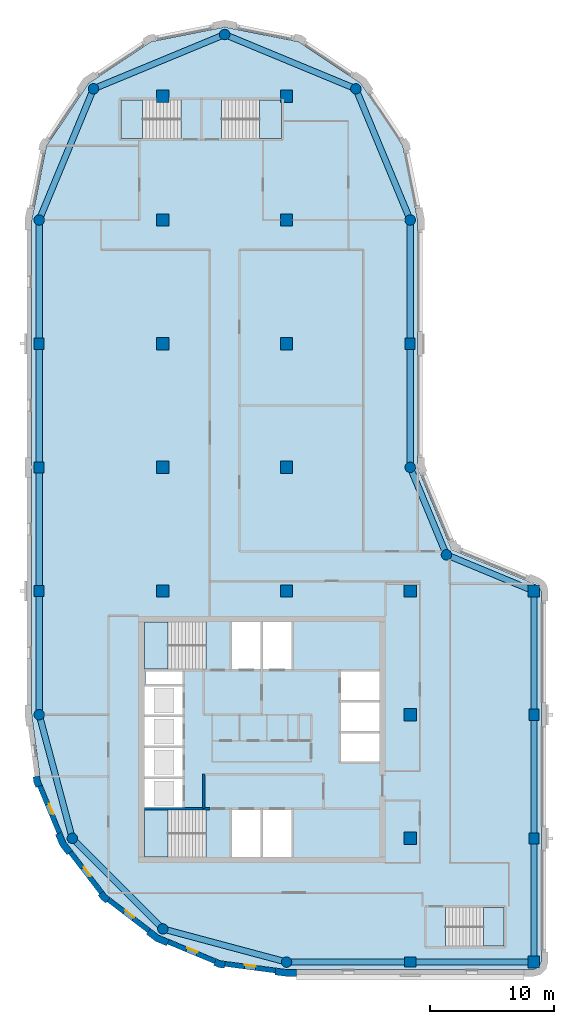
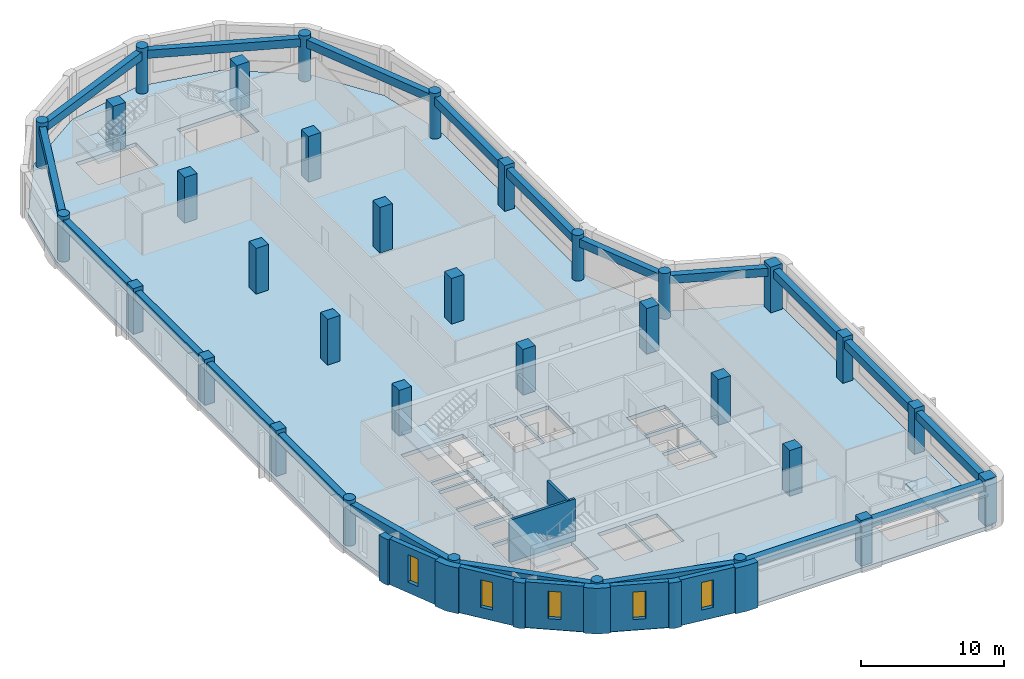
# One storey, part 1 of 8: 33 columns, 20 beams, 13 walls, 6 slabs, 5 windows, 5 openings, 5 elements without a shape of their own.
"""IFC4 building model written with IfcOpenShell, lengths in metres."""

import ifcopenshell
import ifcopenshell.guid

model = None  # the IFC model being written
_history = None  # IfcOwnerHistory: only IFC2X3 demands one
_inside = {}  # id of a spatial element -> (the spatial element, [elements in it])
_under = {}  # id of a project, library or spatial element -> (it, [spatial elements below it])
_declared = {}  # id of a project -> (the project, [libraries it declares])
_typed = {}  # id of a type object -> (the type object, [elements of that type])
_made_of = {}  # id of a material, layer set ... -> (it, [elements and type objects made of it])


def new_model(schema):
    """Start an empty IFC model of exactly this schema.

    Asked for "IFC4X3", IfcOpenShell would pick the latest addendum, in which some entities
    have other attributes; the version numbers below select the first issue.
    IFC2X3 requires an IfcOwnerHistory on every rooted entity: one is made here for all.
    """
    global model, _history
    if schema == "IFC4X3":
        model = ifcopenshell.file(schema_version=(4, 3, 0, 0))
    else:
        model = ifcopenshell.file(schema=schema)
    _inside.clear()
    _under.clear()
    _declared.clear()
    _typed.clear()
    _made_of.clear()
    _history = None
    if model.schema == "IFC2X3":
        org = make("IfcOrganization", Name="unknown")
        user = make(
            "IfcPersonAndOrganization",
            ThePerson=make("IfcPerson", FamilyName="unknown"),
            TheOrganization=org,
        )
        app = make(
            "IfcApplication",
            ApplicationDeveloper=org,
            Version="unknown",
            ApplicationFullName="unknown",
            ApplicationIdentifier="unknown",
        )
        _history = make(
            "IfcOwnerHistory",
            OwningUser=user,
            OwningApplication=app,
            ChangeAction="ADDED",
            CreationDate=0,
        )
    return model


def make(cls, **values):
    """One entity of the class cls with the attributes given. An attribute that is None is left unset."""
    return model.create_entity(
        cls, **{name: value for name, value in values.items() if value is not None}
    )


def rooted(cls, **values):
    """An entity with a GlobalId (a new one), such as an element, a storey or a relation."""
    return make(cls, GlobalId=ifcopenshell.guid.new(), OwnerHistory=_history, **values)


def si_unit(unit_type, name, prefix=None):
    """IfcSIUnit, for example si_unit("LENGTHUNIT", "METRE", prefix="MILLI")."""
    return make("IfcSIUnit", UnitType=unit_type, Prefix=prefix, Name=name)


def assignment(units):
    """IfcUnitAssignment: the units of a project."""
    return None if units is None else make("IfcUnitAssignment", Units=units)


def point(xyz):
    """IfcCartesianPoint."""
    return None if xyz is None else make("IfcCartesianPoint", Coordinates=xyz)


def direction(xyz):
    """IfcDirection."""
    return None if xyz is None else make("IfcDirection", DirectionRatios=xyz)


def frame(location, z_axis=None, x_axis=None):
    """IfcAxis2Placement3D, a coordinate frame: its origin and axes. An axis left out is left unset."""
    return make(
        "IfcAxis2Placement3D",
        Location=point(location),
        Axis=direction(z_axis),
        RefDirection=direction(x_axis),
    )


def frame_2d(location, x_axis=None):
    """IfcAxis2Placement2D, a coordinate frame in the plane: its origin and x axis."""
    return make(
        "IfcAxis2Placement2D", Location=point(location), RefDirection=direction(x_axis)
    )


def origin():
    """The frame at (0, 0, 0) with its axes left unset."""
    return frame((0.0, 0.0, 0.0))


def origin_2d():
    """The frame at (0, 0) in the plane with its x axis left unset."""
    return frame_2d((0.0, 0.0))


def place(relative_to, where):
    """IfcLocalPlacement: puts the frame where relative to a parent placement (None: the world)."""
    return make(
        "IfcLocalPlacement", PlacementRelTo=relative_to, RelativePlacement=where
    )


def context(
    kind, dimensions, precision=None, world=None, true_north=None, identifier=None
):
    """IfcGeometricRepresentationContext, for example the 3D "Model" context."""
    return make(
        "IfcGeometricRepresentationContext",
        ContextIdentifier=identifier,
        ContextType=kind,
        CoordinateSpaceDimension=dimensions,
        Precision=precision,
        WorldCoordinateSystem=world,
        TrueNorth=true_north,
    )


def subcontext(parent, identifier, kind, view, scale=None):
    """IfcGeometricRepresentationSubContext, for example "Body" below "Model"."""
    return make(
        "IfcGeometricRepresentationSubContext",
        ContextIdentifier=identifier,
        ContextType=kind,
        ParentContext=parent,
        TargetScale=scale,
        TargetView=view,
    )


def project(units=None, contexts=None):
    """IfcProject with its units and contexts."""
    return rooted(
        "IfcProject",
        Name="project",
        RepresentationContexts=contexts,
        UnitsInContext=assignment(units),
    )


def spatial(cls, under=None, at=None, **own):
    """A site, building, storey or space (cls), placed at a placement, below another one or the project."""
    s = rooted(cls, ObjectPlacement=at, **own)
    if under is not None:
        _under.setdefault(under.id(), (under, []))[1].append(s)
    return s


def polyline(points):
    """IfcPolyline through the points."""
    return make("IfcPolyline", Points=[point(p) for p in points])


def profile(cls, at=None, kind="AREA", **sizes):
    """A parametric profile (cls). Its sizes go by their IFC names, for example OverallWidth=200.0."""
    return make(cls, ProfileType=kind, Position=at, **sizes)


def rectangle(**sizes):
    """IfcRectangleProfileDef."""
    return profile("IfcRectangleProfileDef", **sizes)


def circle(**sizes):
    """IfcCircleProfileDef."""
    return profile("IfcCircleProfileDef", **sizes)


def outline(outer, holes=None, kind="AREA"):
    """IfcArbitraryClosedProfileDef: a profile drawn as a closed curve; with holes, ...WithVoids."""
    if holes is None:
        return make("IfcArbitraryClosedProfileDef", ProfileType=kind, OuterCurve=outer)
    return make(
        "IfcArbitraryProfileDefWithVoids",
        ProfileType=kind,
        OuterCurve=outer,
        InnerCurves=holes,
    )


def extrude(swept, where, along, depth):
    """IfcExtrudedAreaSolid: the profile swept, set in the frame where, extruded along a direction by depth."""
    return make(
        "IfcExtrudedAreaSolid",
        SweptArea=swept,
        Position=where,
        ExtrudedDirection=direction(along),
        Depth=depth,
    )


def shape(context_of_items, identifier, shape_type, items):
    """IfcShapeRepresentation: the items that make up one representation, for example the "Body"."""
    return make(
        "IfcShapeRepresentation",
        ContextOfItems=context_of_items,
        RepresentationIdentifier=identifier,
        RepresentationType=shape_type,
        Items=items,
    )


def material(Name=None, Category=None):
    """IfcMaterial."""
    return make("IfcMaterial", Name=Name, Category=Category)


def layer(
    of_material, thickness, ventilated=None, Name=None, Category=None, Priority=None
):
    """IfcMaterialLayer: one layer of a wall or slab, of a material (None: an air gap)."""
    return make(
        "IfcMaterialLayer",
        Material=of_material,
        LayerThickness=thickness,
        IsVentilated=ventilated,
        Name=Name,
        Category=Category,
        Priority=Priority,
    )


def layer_set(layers, Name=None):
    """IfcMaterialLayerSet."""
    return make("IfcMaterialLayerSet", MaterialLayers=layers, LayerSetName=Name)


def material_profile(
    of_material, cross_section, Name=None, Category=None, Priority=None
):
    """IfcMaterialProfile: a cross section and its material."""
    return make(
        "IfcMaterialProfile",
        Name=Name,
        Material=of_material,
        Profile=cross_section,
        Priority=Priority,
        Category=Category,
    )


def profile_set(profiles, Name=None, composite=None):
    """IfcMaterialProfileSet."""
    return make(
        "IfcMaterialProfileSet",
        Name=Name,
        MaterialProfiles=profiles,
        CompositeProfile=composite,
    )


def made_of(thing, what):
    """Note that an element or type object is made of a material, layer set ...; save() writes the relation."""
    if what is not None:
        _made_of.setdefault(what.id(), (what, []))[1].append(thing)
    return thing


def type_object(cls, material=None, **own):
    """A type object (cls), such as IfcWallType, which elements share."""
    return made_of(rooted(cls, **own), material)


def element(
    cls,
    number,
    at=None,
    inside=None,
    cuts=None,
    type_object=None,
    material=None,
    context=None,
    identifier="Body",
    shape_type=None,
    held_by="IfcProductDefinitionShape",
    body=None,
    shapes=None,
    **own,
):
    """One element of the class cls, such as IfcWall. Its Tag is "e" and its number.

    at: its placement. inside: the storey or other place that contains it. cuts: it is an
    opening in that element (IfcRelVoidsElement). A single representation is given by context,
    identifier, shape_type and body (its items); several are given by shapes. held_by: the class
    of the entity that holds the representations. save() writes the other relations.
    """
    e = rooted(cls, Tag="e%d" % number, ObjectPlacement=at, **own)
    if body is not None:
        shapes = [shape(context, identifier, shape_type, body)]
    if shapes is not None:
        e.Representation = make(held_by, Representations=shapes)
    if inside is not None:
        _inside.setdefault(inside.id(), (inside, []))[1].append(e)
    if cuts is not None:
        rooted(
            "IfcRelVoidsElement", RelatingBuildingElement=cuts, RelatedOpeningElement=e
        )
    if type_object is not None:
        _typed.setdefault(type_object.id(), (type_object, []))[1].append(e)
    return made_of(e, material)


def fill(opening, filler):
    """IfcRelFillsElement: the door or window that sits in an opening."""
    return rooted(
        "IfcRelFillsElement",
        RelatingOpeningElement=opening,
        RelatedBuildingElement=filler,
    )


def aggregate(whole, parts):
    """IfcRelAggregates: a whole, such as a stair, and the parts it consists of."""
    return rooted("IfcRelAggregates", RelatingObject=whole, RelatedObjects=parts)


def save(model, path):
    """Write the relations noted so far, then the file.

    IfcRelAggregates (storeys below a building ...), IfcRelContainedInSpatialStructure (elements
    in a storey), IfcRelDefinesByType, IfcRelAssociatesMaterial and IfcRelDeclares: one each for
    every whole, place, type object, material and project.
    """
    for whole, parts in _under.values():
        aggregate(whole, parts)
    for where, things in _inside.values():
        rooted(
            "IfcRelContainedInSpatialStructure",
            RelatedElements=things,
            RelatingStructure=where,
        )
    for kind, things in _typed.values():
        rooted("IfcRelDefinesByType", RelatedObjects=things, RelatingType=kind)
    for what, things in _made_of.values():
        rooted("IfcRelAssociatesMaterial", RelatedObjects=things, RelatingMaterial=what)
    for by, libraries in _declared.values():
        rooted("IfcRelDeclares", RelatingContext=by, RelatedDefinitions=libraries)
    model.write(path)


model = new_model("IFC4")

# Units and contexts
model_context = context("Model", 3, precision=1e-05, world=origin(), true_north=direction((0.0, 1.0)))
body_context = subcontext(model_context, "Body", "Model", "MODEL_VIEW")
ifc_project = project(units=[si_unit("LENGTHUNIT", "METRE"), si_unit("AREAUNIT", "SQUARE_METRE"), si_unit("VOLUMEUNIT", "CUBIC_METRE"), si_unit("PLANEANGLEUNIT", "RADIAN"), si_unit("MASSUNIT", "GRAM", prefix="KILO")], contexts=[model_context])

# Site, building, storey
site_placement = place(None, origin())
site = spatial("IfcSite", under=ifc_project, at=site_placement, CompositionType="ELEMENT")
building_placement = place(site_placement, origin())
building = spatial("IfcBuilding", under=site, at=building_placement, Name="Qaws Garden Tower", CompositionType="ELEMENT")
storey_placement = place(building_placement, frame((0.0, 0.0, 345.0)))
storey = spatial("IfcBuildingStorey", under=building, at=storey_placement, Name="L84", CompositionType="ELEMENT", Elevation=345.0)

# Columns
ifc_material_1 = material(Name="Concrete C60", Category="concrete")
ifc_material_profile_1 = material_profile(ifc_material_1, rectangle(XDim=1.0, YDim=1.0, at=origin_2d()), Name="RC 1000x1000")
ifc_profile_set_1 = profile_set([ifc_material_profile_1], Name="Concrete C60")
column_type_1 = type_object("IfcColumnType", Name="Column RC 1000x1000 C60", PredefinedType="COLUMN", material=ifc_profile_set_1)
for number, where, z_axis, x_axis, name in (
    (1, (10.0, 30.0, 0.0), (0.0, 0.0, 1.0), (1.0, 0.0, 0.0), "Column L84-021"),
    (2, (10.0, 40.0, 0.0), (0.0, 0.0, 1.0), (1.0, 0.0, 0.0), "Column L84-022"),
    (3, (10.0, 50.0, 0.0), (0.0, 0.0, 1.0), (1.0, 0.0, 0.0), "Column L84-023"),
    (4, (10.0, 60.0, 0.0), (0.0, 0.0, 1.0), (1.0, 0.0, 0.0), "Column L84-024"),
    (5, (10.0, 70.0, 0.0), (0.0, 0.0, 1.0), (1.0, 0.0, 0.0), "Column L84-025"),
    (6, (20.0, 30.0, 0.0), (0.0, 0.0, 1.0), (1.0, 0.0, 0.0), "Column L84-026"),
    (7, (20.0, 40.0, 0.0), (0.0, 0.0, 1.0), (1.0, 0.0, 0.0), "Column L84-027"),
    (8, (20.0, 50.0, 0.0), (0.0, 0.0, 1.0), (1.0, 0.0, 0.0), "Column L84-028"),
    (9, (20.0, 60.0, 0.0), (0.0, 0.0, 1.0), (1.0, 0.0, 0.0), "Column L84-029"),
    (10, (20.0, 70.0, 0.0), (0.0, 0.0, 1.0), (1.0, 0.0, 0.0), "Column L84-030"),
    (11, (30.0, 10.0, 0.0), (0.0, 0.0, 1.0), (1.0, 0.0, 0.0), "Column L84-031"),
    (12, (30.0, 20.0, 0.0), (0.0, 0.0, 1.0), (1.0, 0.0, 0.0), "Column L84-032"),
    (13, (30.0, 30.0, 0.0), (0.0, 0.0, 1.0), (1.0, 0.0, 0.0), "Column L84-033"),
):
    element("IfcColumn", number, at=place(storey_placement, frame(where, z_axis=z_axis, x_axis=x_axis)), inside=storey, type_object=column_type_1, Name=name, PredefinedType="COLUMN", context=body_context, shape_type="SweptSolid", body=[
        extrude(rectangle(XDim=1.0, YDim=1.0, at=origin_2d()), origin(), (0.0, 0.0, 1.0), 3.89990234375),
    ])
ifc_material_2 = material(Name="Concrete C60", Category="concrete")
ifc_material_profile_2 = material_profile(ifc_material_2, rectangle(XDim=0.89990234375, YDim=0.800048828125, at=origin_2d()), Name="RC 900x800")
ifc_profile_set_2 = profile_set([ifc_material_profile_2], Name="Concrete C60")
column_type_2 = type_object("IfcColumnType", Name="Column RC 900x800 C60", PredefinedType="COLUMN", material=ifc_profile_set_2)
for number, where, z_axis, x_axis, name in (
    (14, (30.0, 0.0, 0.0), (0.0, 0.0, 1.0), (1.0, 0.0, 0.0), "Column L84-002"),
    (15, (40.0, 10.0, 0.0), (0.0, 0.0, 1.0), (0.0, 1.0, 0.0), "Column L84-004"),
    (16, (40.0, 20.0, 0.0), (0.0, 0.0, 1.0), (0.0, 1.0, 0.0), "Column L84-005"),
    (17, (30.0, 50.0, 0.0), (0.0, 0.0, 1.0), (0.0, 1.0, 0.0), "Column L84-009"),
    (18, (0.0, 50.0, 0.0), (0.0, 0.0, 1.0), (0.0, 1.0, 0.0), "Column L84-015"),
    (19, (0.0, 40.0, 0.0), (0.0, 0.0, 1.0), (0.0, 1.0, 0.0), "Column L84-016"),
    (20, (0.0, 30.0, 0.0), (0.0, 0.0, 1.0), (0.0, 1.0, 0.0), "Column L84-017"),
):
    element("IfcColumn", number, at=place(storey_placement, frame(where, z_axis=z_axis, x_axis=x_axis)), inside=storey, type_object=column_type_2, Name=name, PredefinedType="COLUMN", context=body_context, shape_type="SweptSolid", body=[
        extrude(rectangle(XDim=0.89990234375, YDim=0.800048828125, at=origin_2d()), origin(), (0.0, 0.0, 1.0), 3.89990234375),
    ])
ifc_material_3 = material(Name="Concrete C60", Category="concrete")
ifc_material_profile_3 = material_profile(ifc_material_3, rectangle(XDim=0.949951171875, YDim=0.949951171875, at=origin_2d()), Name="RC 950x950")
ifc_profile_set_3 = profile_set([ifc_material_profile_3], Name="Concrete C60")
column_type_3 = type_object("IfcColumnType", Name="Column RC 950x950 C60", PredefinedType="COLUMN", material=ifc_profile_set_3)
for number, where, z_axis, x_axis, name in (
    (21, (40.0, 0.0, 0.0), (0.0, 0.0, 1.0), (1.0, 0.0, 0.0), "Column L84-003"),
    (22, (40.0, 30.0, 0.0), (0.0, 0.0, 1.0), (1.0, 0.0, 0.0), "Column L84-006"),
):
    element("IfcColumn", number, at=place(storey_placement, frame(where, z_axis=z_axis, x_axis=x_axis)), inside=storey, type_object=column_type_3, Name=name, PredefinedType="COLUMN", context=body_context, shape_type="SweptSolid", body=[
        extrude(rectangle(XDim=0.949951171875, YDim=0.949951171875, at=origin_2d()), origin(), (0.0, 0.0, 1.0), 3.89990234375),
    ])
ifc_material_4 = material(Name="Concrete C60", Category="concrete")
ifc_material_profile_4 = material_profile(ifc_material_4, circle(Radius=0.425048828125, at=origin_2d()), Name="RC D850")
ifc_profile_set_4 = profile_set([ifc_material_profile_4], Name="Concrete C60")
column_type_4 = type_object("IfcColumnType", Name="Column RC D850 C60", PredefinedType="COLUMN", material=ifc_profile_set_4)
for number, where, z_axis, x_axis, name in (
    (23, (20.0, 0.0, 0.0), (0.0, 0.0, 1.0), (1.0, 0.0, 0.0), "Column L84-001"),
    (24, (32.928955078125, 32.928955078125, 0.0), (0.0, 0.0, 1.0), (1.0, 0.0, 0.0), "Column L84-007"),
    (25, (30.0, 40.0, 0.0), (0.0, 0.0, 1.0), (1.0, 0.0, 0.0), "Column L84-008"),
    (26, (30.0, 60.0, 0.0), (0.0, 0.0, 1.0), (1.0, 0.0, 0.0), "Column L84-010"),
    (27, (25.606689453125, 70.606689453125, 0.0), (0.0, 0.0, 1.0), (1.0, 0.0, 0.0), "Column L84-011"),
    (28, (15.0, 75.0, 0.0), (0.0, 0.0, 1.0), (1.0, 0.0, 0.0), "Column L84-012"),
    (29, (4.393310546875, 70.606689453125, 0.0), (0.0, 0.0, 1.0), (1.0, 0.0, 0.0), "Column L84-013"),
    (30, (0.0, 60.0, 0.0), (0.0, 0.0, 1.0), (1.0, 0.0, 0.0), "Column L84-014"),
    (31, (0.0, 20.0, 0.0), (0.0, 0.0, 1.0), (1.0, 0.0, 0.0), "Column L84-018"),
    (32, (2.679443359375, 10.0, 0.0), (0.0, 0.0, 1.0), (1.0, 0.0, 0.0), "Column L84-019"),
    (33, (10.0, 2.679443359375, 0.0), (0.0, 0.0, 1.0), (1.0, 0.0, 0.0), "Column L84-020"),
):
    element("IfcColumn", number, at=place(storey_placement, frame(where, z_axis=z_axis, x_axis=x_axis)), inside=storey, type_object=column_type_4, Name=name, PredefinedType="COLUMN", context=body_context, shape_type="SweptSolid", body=[
        extrude(circle(Radius=0.425048828125, at=origin_2d()), origin(), (0.0, 0.0, 1.0), 3.89990234375),
    ])

# Beams
ifc_material_5 = material(Name="Concrete C45", Category="concrete")
ifc_material_profile_5 = material_profile(ifc_material_5, rectangle(XDim=0.5, YDim=0.699951171875, at=origin_2d()), Name="RC 500x700")
ifc_profile_set_5 = profile_set([ifc_material_profile_5], Name="Concrete C45")
beam_type = type_object("IfcBeamType", Name="Spandrel beam RC 500x700 C45", PredefinedType="SPANDREL", material=ifc_profile_set_5)
for number, where, z_axis, x_axis, name in (
    (34, (20.0, 0.0, 3.22998046875), (1.0, 0.0, 0.0), (0.0, 1.0, 0.0), "Spandrel beam L84-001"),
    (35, (30.0, 0.0, 3.22998046875), (1.0, 0.0, 0.0), (0.0, 1.0, 0.0), "Spandrel beam L84-002"),
    (36, (40.0, 0.0, 3.22998046875), (0.0, 1.0, 0.0), (-1.0, 0.0, 0.0), "Spandrel beam L84-003"),
    (37, (40.0, 10.0, 3.22998046875), (0.0, 1.0, 0.0), (-1.0, 0.0, 0.0), "Spandrel beam L84-004"),
    (38, (40.0, 20.0, 3.22998046875), (0.0, 1.0, 0.0), (-1.0, 0.0, 0.0), "Spandrel beam L84-005"),
):
    element("IfcBeam", number, at=place(storey_placement, frame(where, z_axis=z_axis, x_axis=x_axis)), inside=storey, type_object=beam_type, Name=name, PredefinedType="SPANDREL", context=body_context, shape_type="SweptSolid", body=[
        extrude(rectangle(XDim=0.5, YDim=0.699951171875, at=origin_2d()), origin(), (0.0, 0.0, 1.0), 10.0),
    ])
for number, where, z_axis, x_axis, name in (
    (39, (40.0, 30.0, 3.22998046875), (-0.923878037141, 0.382687042488, 0.0), (-0.382687042488, -0.923878037141, 0.0), "Spandrel beam L84-006"),
    (40, (32.928955078125, 32.928955078125, 3.22998046875), (-0.382687042488, 0.923878037141, 0.0), (-0.923878037141, -0.382687042488, 0.0), "Spandrel beam L84-007"),
):
    element("IfcBeam", number, at=place(storey_placement, frame(where, z_axis=z_axis, x_axis=x_axis)), inside=storey, type_object=beam_type, Name=name, PredefinedType="SPANDREL", context=body_context, shape_type="SweptSolid", body=[
        extrude(rectangle(XDim=0.5, YDim=0.699951171875, at=origin_2d()), origin(), (0.0, 0.0, 1.0), 7.653564453125),
    ])
for number, where, z_axis, x_axis, name in (
    (41, (30.0, 40.0, 3.22998046875), (0.0, 1.0, 0.0), (-1.0, 0.0, 0.0), "Spandrel beam L84-008"),
    (42, (30.0, 50.0, 3.22998046875), (0.0, 1.0, 0.0), (-1.0, 0.0, 0.0), "Spandrel beam L84-009"),
):
    element("IfcBeam", number, at=place(storey_placement, frame(where, z_axis=z_axis, x_axis=x_axis)), inside=storey, type_object=beam_type, Name=name, PredefinedType="SPANDREL", context=body_context, shape_type="SweptSolid", body=[
        extrude(rectangle(XDim=0.5, YDim=0.699951171875, at=origin_2d()), origin(), (0.0, 0.0, 1.0), 10.0),
    ])
for number, where, z_axis, x_axis, name in (
    (43, (30.0, 60.0, 3.22998046875), (-0.382674207535, 0.923883353507, 0.0), (-0.923883353507, -0.382674207535, 0.0), "Spandrel beam L84-010"),
    (44, (25.606689453125, 70.606689453125, 3.22998046875), (-0.923883353507, 0.382674207535, 0.0), (-0.382674207535, -0.923883353507, 0.0), "Spandrel beam L84-011"),
    (45, (15.0, 75.0, 3.22998046875), (-0.923883353507, -0.382674207535, 0.0), (0.382674207535, -0.923883353507, 0.0), "Spandrel beam L84-012"),
    (46, (4.393310546875, 70.606689453125, 3.22998046875), (-0.382674207535, -0.923883353507, 0.0), (0.923883353507, -0.382674207535, 0.0), "Spandrel beam L84-013"),
):
    element("IfcBeam", number, at=place(storey_placement, frame(where, z_axis=z_axis, x_axis=x_axis)), inside=storey, type_object=beam_type, Name=name, PredefinedType="SPANDREL", context=body_context, shape_type="SweptSolid", body=[
        extrude(rectangle(XDim=0.5, YDim=0.699951171875, at=origin_2d()), origin(), (0.0, 0.0, 1.0), 11.48046875),
    ])
for number, where, z_axis, x_axis, name in (
    (47, (0.0, 60.0, 3.22998046875), (0.0, -1.0, 0.0), (1.0, 0.0, 0.0), "Spandrel beam L84-014"),
    (48, (0.0, 50.0, 3.22998046875), (0.0, -1.0, 0.0), (1.0, 0.0, 0.0), "Spandrel beam L84-015"),
    (49, (0.0, 40.0, 3.22998046875), (0.0, -1.0, 0.0), (1.0, 0.0, 0.0), "Spandrel beam L84-016"),
    (50, (0.0, 30.0, 3.22998046875), (0.0, -1.0, 0.0), (1.0, 0.0, 0.0), "Spandrel beam L84-017"),
):
    element("IfcBeam", number, at=place(storey_placement, frame(where, z_axis=z_axis, x_axis=x_axis)), inside=storey, type_object=beam_type, Name=name, PredefinedType="SPANDREL", context=body_context, shape_type="SweptSolid", body=[
        extrude(rectangle(XDim=0.5, YDim=0.699951171875, at=origin_2d()), origin(), (0.0, 0.0, 1.0), 10.0),
    ])
for number, where, z_axis, x_axis, name in (
    (51, (0.0, 20.0, 3.22998046875), (0.25881466832, -0.965926999034, 0.0), (0.965926999034, 0.25881466832, 0.0), "Spandrel beam L84-018"),
    (52, (2.679443359375, 10.0, 3.22998046875), (0.707106781187, -0.707106781187, 0.0), (0.707106781187, 0.707106781187, 0.0), "Spandrel beam L84-019"),
    (53, (10.0, 2.679443359375, 3.22998046875), (0.965926999034, -0.25881466832, 0.0), (0.25881466832, 0.965926999034, 0.0), "Spandrel beam L84-020"),
):
    element("IfcBeam", number, at=place(storey_placement, frame(where, z_axis=z_axis, x_axis=x_axis)), inside=storey, type_object=beam_type, Name=name, PredefinedType="SPANDREL", context=body_context, shape_type="SweptSolid", body=[
        extrude(rectangle(XDim=0.5, YDim=0.699951171875, at=origin_2d()), origin(), (0.0, 0.0, 1.0), 10.352783203125),
    ])

# Slab
ifc_material_6 = material(Name="Concrete C40", Category="concrete")
ifc_layer_1 = layer(ifc_material_6, 0.320068359375)
ifc_layer_set_1 = layer_set([ifc_layer_1], Name="Concrete C40")
slab_type_1 = type_object("IfcSlabType", Name="Floor slab 320 C40", PredefinedType="FLOOR", material=ifc_layer_set_1)
slab_1_placement = place(storey_placement, frame((0.0, 0.0, -0.320068359375)))
element("IfcSlab", 54, at=slab_1_placement, inside=storey, type_object=slab_type_1, Name="Floor slab L84", PredefinedType="FLOOR", context=body_context, shape_type="SweptSolid", body=[
    extrude(outline(polyline([(0.101806640625, 14.668212890625), (-0.60009765625, 20.0), (-0.60009765625, 30.60009765625), (-0.60009765625, 60.0), (-0.60009765625, 60.0), (0.58740234375, 65.969970703125), (3.968994140625, 71.031005859375), (9.030029296875, 74.41259765625), (15.0, 75.60009765625), (20.969970703125, 74.41259765625), (26.031005859375, 71.031005859375), (29.41259765625, 65.969970703125), (30.60009765625, 60.0), (30.60009765625, 40.0), (33.353271484375, 33.353271484375), (40.0, 30.60009765625), (40.42431640625, 30.42431640625), (40.60009765625, 30.0), (40.60009765625, 0.0), (40.42431640625, -0.42431640625), (40.0, -0.60009765625), (30.60009765625, -0.60009765625), (20.0, -0.60009765625), (14.668212890625, 0.101806640625), (9.699951171875, 2.159912109375), (5.43359375, 5.43359375), (2.159912109375, 9.699951171875), (0.101806640625, 14.668212890625)]), holes=[polyline([(13.49951171875, 12.300048828125), (8.5, 12.300048828125), (8.5, 8.5), (13.49951171875, 8.5), (13.49951171875, 12.300048828125)]), polyline([(17.89990234375, 12.300048828125), (15.60009765625, 12.300048828125), (15.60009765625, 8.5), (17.89990234375, 8.5), (17.89990234375, 12.300048828125)]), polyline([(11.60009765625, 14.800048828125), (8.5, 14.800048828125), (8.5, 12.5), (11.60009765625, 12.5), (11.60009765625, 14.800048828125)]), polyline([(11.60009765625, 17.300048828125), (8.5, 17.300048828125), (8.5, 15.0), (11.60009765625, 15.0), (11.60009765625, 17.300048828125)]), polyline([(11.60009765625, 19.800048828125), (8.5, 19.800048828125), (8.5, 17.5), (11.60009765625, 17.5), (11.60009765625, 19.800048828125)]), polyline([(11.60009765625, 22.300048828125), (8.5, 22.300048828125), (8.5, 20.0), (11.60009765625, 20.0), (11.60009765625, 22.300048828125)]), polyline([(11.60009765625, 23.5), (8.60009765625, 23.5), (8.60009765625, 22.5), (11.60009765625, 22.5), (11.60009765625, 23.5)]), polyline([(13.49951171875, 27.5), (8.5, 27.5), (8.5, 23.699951171875), (13.49951171875, 23.699951171875), (13.49951171875, 27.5)]), polyline([(11.449462890625, 69.699951171875), (6.60009765625, 69.699951171875), (6.60009765625, 66.60009765625), (11.449462890625, 66.60009765625), (11.449462890625, 69.699951171875)]), polyline([(37.60009765625, 4.39990234375), (32.8505859375, 4.39990234375), (32.8505859375, 1.300048828125), (37.60009765625, 1.300048828125), (37.60009765625, 4.39990234375)]), polyline([(20.39990234375, 12.300048828125), (18.10009765625, 12.300048828125), (18.10009765625, 8.5), (20.39990234375, 8.5), (20.39990234375, 12.300048828125)]), polyline([(27.5, 18.5), (24.39990234375, 18.5), (24.39990234375, 16.199951171875), (27.5, 16.199951171875), (27.5, 18.5)]), polyline([(27.5, 21.0), (24.39990234375, 21.0), (24.39990234375, 18.699951171875), (27.5, 18.699951171875), (27.5, 21.0)]), polyline([(27.5, 23.5), (24.39990234375, 23.5), (24.39990234375, 21.199951171875), (27.5, 21.199951171875), (27.5, 23.5)]), polyline([(17.89990234375, 27.5), (15.60009765625, 27.5), (15.60009765625, 23.699951171875), (17.89990234375, 23.699951171875), (17.89990234375, 27.5)]), polyline([(20.39990234375, 23.699951171875), (20.39990234375, 27.5), (18.10009765625, 27.5), (18.10009765625, 23.699951171875), (20.39990234375, 23.699951171875)]), polyline([(19.60009765625, 66.60009765625), (19.60009765625, 69.699951171875), (14.75048828125, 69.699951171875), (14.75048828125, 66.60009765625), (19.60009765625, 66.60009765625)])]), origin(), (0.0, 0.0, 1.0), 0.320068359375),
])

# Stair, slab
ifc_material_7 = material(Name="Concrete C40", Category="concrete")
stair_type_1 = type_object("IfcStairType", Name="Exit stair 1500", PredefinedType="HALF_TURN_STAIR", material=ifc_material_7)
placement_1 = place(storey_placement, origin())
stair_1 = element("IfcStair", 55, at=placement_1, inside=storey, type_object=stair_type_1, Name="Stair 1", PredefinedType="HALF_TURN_STAIR")
ifc_material_8 = material(Name="Concrete C40", Category="concrete")
ifc_layer_2 = layer(ifc_material_8, 0.199951171875)
ifc_layer_set_2 = layer_set([ifc_layer_2], Name="Concrete C40")
slab_type_2 = type_object("IfcSlabType", Name="Stair landing 200", PredefinedType="LANDING", material=ifc_layer_set_2)
placement_2 = place(storey_placement, frame((0.0, 0.0, 1.75)))
slab_2 = element("IfcSlab", 56, at=placement_2, type_object=slab_type_2, Name="ST1 landing 1", PredefinedType="LANDING", context=body_context, shape_type="SweptSolid", body=[
    extrude(outline(polyline([(8.5, 8.5), (10.419921875, 8.5), (10.419921875, 12.300048828125), (8.5, 12.300048828125), (8.5, 8.5)])), origin(), (0.0, 0.0, 1.0), 0.199951171875),
])
aggregate(stair_1, [slab_2])

stair_2 = element("IfcStair", 57, at=placement_1, inside=storey, type_object=stair_type_1, Name="Stair 4", PredefinedType="HALF_TURN_STAIR")
slab_3 = element("IfcSlab", 58, at=placement_2, type_object=slab_type_2, Name="ST4 landing 1", PredefinedType="LANDING", context=body_context, shape_type="SweptSolid", body=[
    extrude(outline(polyline([(8.5, 23.699951171875), (10.419921875, 23.699951171875), (10.419921875, 27.5), (8.5, 27.5), (8.5, 23.699951171875)])), origin(), (0.0, 0.0, 1.0), 0.199951171875),
])
aggregate(stair_2, [slab_3])

ifc_material_9 = material(Name="Concrete C40", Category="concrete")
stair_type_2 = type_object("IfcStairType", Name="Exit stair 1350", PredefinedType="HALF_TURN_STAIR", material=ifc_material_9)
stair_3 = element("IfcStair", 59, at=placement_1, inside=storey, type_object=stair_type_2, Name="Stair 5", PredefinedType="HALF_TURN_STAIR")
slab_4 = element("IfcSlab", 60, at=placement_2, type_object=slab_type_2, Name="ST5 landing 1", PredefinedType="LANDING", context=body_context, shape_type="SweptSolid", body=[
    extrude(outline(polyline([(35.929931640625, 1.300048828125), (37.60009765625, 1.300048828125), (37.60009765625, 4.39990234375), (35.929931640625, 4.39990234375), (35.929931640625, 1.300048828125)])), origin(), (0.0, 0.0, 1.0), 0.199951171875),
])
aggregate(stair_3, [slab_4])

stair_4 = element("IfcStair", 61, at=placement_1, inside=storey, type_object=stair_type_2, Name="Stair 6", PredefinedType="HALF_TURN_STAIR")
slab_5 = element("IfcSlab", 62, at=placement_2, type_object=slab_type_2, Name="ST6 landing 1", PredefinedType="LANDING", context=body_context, shape_type="SweptSolid", body=[
    extrude(outline(polyline([(6.60009765625, 66.60009765625), (8.3701171875, 66.60009765625), (8.3701171875, 69.699951171875), (6.60009765625, 69.699951171875), (6.60009765625, 66.60009765625)])), origin(), (0.0, 0.0, 1.0), 0.199951171875),
])
aggregate(stair_4, [slab_5])

stair_5 = element("IfcStair", 63, at=placement_1, inside=storey, type_object=stair_type_2, Name="Stair 7", PredefinedType="HALF_TURN_STAIR")
slab_6 = element("IfcSlab", 64, at=placement_2, type_object=slab_type_2, Name="ST7 landing 1", PredefinedType="LANDING", context=body_context, shape_type="SweptSolid", body=[
    extrude(outline(polyline([(17.830078125, 66.60009765625), (19.60009765625, 66.60009765625), (19.60009765625, 69.699951171875), (17.830078125, 69.699951171875), (17.830078125, 66.60009765625)])), origin(), (0.0, 0.0, 1.0), 0.199951171875),
])
aggregate(stair_5, [slab_6])

# Wall, opening, window
ifc_material_10 = material(Name="Clay facing brick masonry", Category="masonry")
ifc_layer_3 = layer(ifc_material_10, 0.39990234375)
ifc_layer_set_3 = layer_set([ifc_layer_3], Name="Clay facing brick masonry")
wall_type_1 = type_object("IfcWallType", Name="Brick infill wall 400", PredefinedType="SOLIDWALL", material=ifc_layer_set_3)
wall_1_placement = place(storey_placement, frame((0.05712890625, 14.240234375, 0.0), z_axis=(0.0, 0.0, 1.0), x_axis=(0.382721546029, -0.923863744394, 0.0)))
wall_1 = element("IfcWall", 65, at=wall_1_placement, inside=storey, type_object=wall_type_1, Name="E-L84-infill-22", PredefinedType="SOLIDWALL", context=body_context, shape_type="SweptSolid", body=[
    extrude(rectangle(XDim=4.120849609375, YDim=0.39990234375, at=frame_2d((2.060546875, 0.0))), origin(), (0.0, 0.0, 1.0), 3.89990234375),
])
opening_1_placement = place(wall_1_placement, frame((1.610595703125, 0.0, 0.89990234375)))
opening_1 = element("IfcOpeningElement", 66, at=opening_1_placement, cuts=wall_1, Name="Opening W09", PredefinedType="OPENING", context=body_context, shape_type="SweptSolid", body=[
    extrude(rectangle(XDim=0.89990234375, YDim=2.35009765625, at=frame_2d((0.449951171875, 1.175048828125))), frame((0.0, 0.2099609375, 0.0), z_axis=(0.0, -1.0, 0.0), x_axis=(1.0, 0.0, 0.0)), (0.0, 0.0, 1.0), 0.419921875),
])
ifc_material_11 = material(Name="Aluminium framed window, clear glazing", Category="aluminium")
window_type = type_object("IfcWindowType", Name="Slit window 900 x 2350", PartitioningType="SINGLE_PANEL", PredefinedType="WINDOW", material=ifc_material_11)
window_1_placement = place(opening_1_placement, origin())
window_1 = element("IfcWindow", 67, at=window_1_placement, inside=storey, type_object=window_type, Name="E-L84-window-22-0", OverallHeight=2.35009765625, OverallWidth=0.89990234375, PartitioningType="SINGLE_PANEL", PredefinedType="WINDOW", context=body_context, shape_type="SweptSolid", body=[
    extrude(rectangle(XDim=0.89990234375, YDim=2.35009765625, at=frame_2d((0.449951171875, 1.175048828125))), frame((0.0, 0.159912109375, 0.0), z_axis=(0.0, -1.0, 0.0), x_axis=(1.0, 0.0, 0.0)), (0.0, 0.0, 1.0), 0.06005859375),
])
fill(opening_1, window_1)

wall_2_placement = place(storey_placement, frame((2.53173828125, 8.87841796875, 0.0), z_axis=(0.0, 0.0, 1.0), x_axis=(0.608759824817, -0.793354571229, 0.0)))
wall_2 = element("IfcWall", 68, at=wall_2_placement, inside=storey, type_object=wall_type_1, Name="E-L84-infill-23", PredefinedType="SOLIDWALL", context=body_context, shape_type="SweptSolid", body=[
    extrude(rectangle(XDim=4.12109375, YDim=0.39990234375, at=frame_2d((2.060546875, 0.0))), origin(), (0.0, 0.0, 1.0), 3.89990234375),
])
opening_2_placement = place(wall_2_placement, frame((1.610595703125, 0.0, 0.89990234375)))
opening_2 = element("IfcOpeningElement", 69, at=opening_2_placement, cuts=wall_2, Name="Opening W09", PredefinedType="OPENING", context=body_context, shape_type="SweptSolid", body=[
    extrude(rectangle(XDim=0.89990234375, YDim=2.35009765625, at=frame_2d((0.449951171875, 1.175048828125))), frame((0.0, 0.2099609375, 0.0), z_axis=(0.0, -1.0, 0.0), x_axis=(1.0, 0.0, 0.0)), (0.0, 0.0, 1.0), 0.419921875),
])
window_2_placement = place(opening_2_placement, origin())
window_2 = element("IfcWindow", 70, at=window_2_placement, inside=storey, type_object=window_type, Name="E-L84-window-23-0", OverallHeight=2.35009765625, OverallWidth=0.89990234375, PartitioningType="SINGLE_PANEL", PredefinedType="WINDOW", context=body_context, shape_type="SweptSolid", body=[
    extrude(rectangle(XDim=0.89990234375, YDim=2.35009765625, at=frame_2d((0.449951171875, 1.175048828125))), frame((0.0, 0.159912109375, 0.0), z_axis=(0.0, -1.0, 0.0), x_axis=(1.0, 0.0, 0.0)), (0.0, 0.0, 1.0), 0.06005859375),
])
fill(opening_2, window_2)

wall_3_placement = place(storey_placement, frame((5.60888671875, 5.04052734375, 0.0), z_axis=(0.0, 0.0, 1.0), x_axis=(0.793354571229, -0.608759824817, 0.0)))
wall_3 = element("IfcWall", 71, at=wall_3_placement, inside=storey, type_object=wall_type_1, Name="E-L84-infill-24", PredefinedType="SOLIDWALL", context=body_context, shape_type="SweptSolid", body=[
    extrude(rectangle(XDim=4.12109375, YDim=0.39990234375, at=frame_2d((2.060546875, 0.0))), origin(), (0.0, 0.0, 1.0), 3.89990234375),
])
opening_3_placement = place(wall_3_placement, frame((1.610595703125, 0.0, 0.89990234375)))
opening_3 = element("IfcOpeningElement", 72, at=opening_3_placement, cuts=wall_3, Name="Opening W09", PredefinedType="OPENING", context=body_context, shape_type="SweptSolid", body=[
    extrude(rectangle(XDim=0.89990234375, YDim=2.35009765625, at=frame_2d((0.449951171875, 1.175048828125))), frame((0.0, 0.2099609375, 0.0), z_axis=(0.0, -1.0, 0.0), x_axis=(1.0, 0.0, 0.0)), (0.0, 0.0, 1.0), 0.419921875),
])
window_3_placement = place(opening_3_placement, origin())
window_3 = element("IfcWindow", 73, at=window_3_placement, inside=storey, type_object=window_type, Name="E-L84-window-24-0", OverallHeight=2.35009765625, OverallWidth=0.89990234375, PartitioningType="SINGLE_PANEL", PredefinedType="WINDOW", context=body_context, shape_type="SweptSolid", body=[
    extrude(rectangle(XDim=0.89990234375, YDim=2.35009765625, at=frame_2d((0.449951171875, 1.175048828125))), frame((0.0, 0.159912109375, 0.0), z_axis=(0.0, -1.0, 0.0), x_axis=(1.0, 0.0, 0.0)), (0.0, 0.0, 1.0), 0.06005859375),
])
fill(opening_3, window_3)

wall_4_placement = place(storey_placement, frame((10.43310546875, 1.63427734375, 0.0), z_axis=(0.0, 0.0, 1.0), x_axis=(0.923863744394, -0.382721546029, 0.0)))
wall_4 = element("IfcWall", 74, at=wall_4_placement, inside=storey, type_object=wall_type_1, Name="E-L84-infill-25", PredefinedType="SOLIDWALL", context=body_context, shape_type="SweptSolid", body=[
    extrude(rectangle(XDim=4.120849609375, YDim=0.39990234375, at=frame_2d((2.060546875, 0.0))), origin(), (0.0, 0.0, 1.0), 3.89990234375),
])
opening_4_placement = place(wall_4_placement, frame((1.610595703125, 0.0, 0.89990234375)))
opening_4 = element("IfcOpeningElement", 75, at=opening_4_placement, cuts=wall_4, Name="Opening W09", PredefinedType="OPENING", context=body_context, shape_type="SweptSolid", body=[
    extrude(rectangle(XDim=0.89990234375, YDim=2.35009765625, at=frame_2d((0.449951171875, 1.175048828125))), frame((0.0, 0.2099609375, 0.0), z_axis=(0.0, -1.0, 0.0), x_axis=(1.0, 0.0, 0.0)), (0.0, 0.0, 1.0), 0.419921875),
])
window_4_placement = place(opening_4_placement, origin())
window_4 = element("IfcWindow", 76, at=window_4_placement, inside=storey, type_object=window_type, Name="E-L84-window-25-0", OverallHeight=2.35009765625, OverallWidth=0.89990234375, PartitioningType="SINGLE_PANEL", PredefinedType="WINDOW", context=body_context, shape_type="SweptSolid", body=[
    extrude(rectangle(XDim=0.89990234375, YDim=2.35009765625, at=frame_2d((0.449951171875, 1.175048828125))), frame((0.0, 0.159912109375, 0.0), z_axis=(0.0, -1.0, 0.0), x_axis=(1.0, 0.0, 0.0)), (0.0, 0.0, 1.0), 0.06005859375),
])
fill(opening_4, window_4)

wall_5_placement = place(storey_placement, frame((15.0166015625, -0.15087890625, 0.0), z_axis=(0.0, 0.0, 1.0), x_axis=(0.991446429508, -0.130514280502, 0.0)))
wall_5 = element("IfcWall", 77, at=wall_5_placement, inside=storey, type_object=wall_type_1, Name="E-L84-infill-26", PredefinedType="SOLIDWALL", context=body_context, shape_type="SweptSolid", body=[
    extrude(rectangle(XDim=4.120849609375, YDim=0.39990234375, at=frame_2d((2.060546875, 0.0))), origin(), (0.0, 0.0, 1.0), 3.89990234375),
])
opening_5_placement = place(wall_5_placement, frame((1.610595703125, 0.0, 0.89990234375)))
opening_5 = element("IfcOpeningElement", 78, at=opening_5_placement, cuts=wall_5, Name="Opening W09", PredefinedType="OPENING", context=body_context, shape_type="SweptSolid", body=[
    extrude(rectangle(XDim=0.89990234375, YDim=2.35009765625, at=frame_2d((0.449951171875, 1.175048828125))), frame((0.0, 0.2099609375, 0.0), z_axis=(0.0, -1.0, 0.0), x_axis=(1.0, 0.0, 0.0)), (0.0, 0.0, 1.0), 0.419921875),
])
window_5_placement = place(opening_5_placement, origin())
window_5 = element("IfcWindow", 79, at=window_5_placement, inside=storey, type_object=window_type, Name="E-L84-window-26-0", OverallHeight=2.35009765625, OverallWidth=0.89990234375, PartitioningType="SINGLE_PANEL", PredefinedType="WINDOW", context=body_context, shape_type="SweptSolid", body=[
    extrude(rectangle(XDim=0.89990234375, YDim=2.35009765625, at=frame_2d((0.449951171875, 1.175048828125))), frame((0.0, 0.159912109375, 0.0), z_axis=(0.0, -1.0, 0.0), x_axis=(1.0, 0.0, 0.0)), (0.0, 0.0, 1.0), 0.06005859375),
])
fill(opening_5, window_5)

# Walls
ifc_material_12 = material(Name="Clay facing brick masonry", Category="masonry")
ifc_layer_4 = layer(ifc_material_12, 0.550048828125)
ifc_layer_set_4 = layer_set([ifc_layer_4], Name="Clay facing brick masonry")
wall_type_2 = type_object("IfcWallType", Name="Brick kink pier 550 x 600", PredefinedType="SOLIDWALL", material=ifc_layer_set_4)
element("IfcWall", 80, at=placement_1, inside=storey, type_object=wall_type_2, Name="E-L84-pier-22", PredefinedType="SOLIDWALL", context=body_context, shape_type="SweptSolid", body=[
    extrude(outline(polyline([(-0.34912109375, 14.990478515625), (-0.497802734375, 14.970947265625), (-0.43896484375, 14.5234375), (-0.26611328125, 14.1064453125), (-0.127685546875, 14.163818359375), (0.241943359375, 14.31689453125), (0.096923828125, 14.6669921875), (0.04736328125, 15.042724609375), (-0.34912109375, 14.990478515625)])), origin(), (0.0, 0.0, 1.0), 3.89990234375),
])
element("IfcWall", 81, at=placement_1, inside=storey, type_object=wall_type_2, Name="E-L84-pier-24", PredefinedType="SOLIDWALL", context=body_context, shape_type="SweptSolid", body=[
    extrude(outline(polyline([(4.8818359375, 5.487060546875), (4.762939453125, 5.395751953125), (5.03759765625, 5.03759765625), (5.395751953125, 4.762939453125), (5.487060546875, 4.8818359375), (5.730712890625, 5.19921875), (5.429931640625, 5.429931640625), (5.19921875, 5.730712890625), (4.8818359375, 5.487060546875)])), origin(), (0.0, 0.0, 1.0), 3.89990234375),
])
element("IfcWall", 82, at=placement_1, inside=storey, type_object=wall_type_2, Name="E-L84-pier-26", PredefinedType="SOLIDWALL", context=body_context, shape_type="SweptSolid", body=[
    extrude(outline(polyline([(14.163818359375, -0.127685546875), (14.1064453125, -0.26611328125), (14.5234375, -0.43896484375), (14.970947265625, -0.497802734375), (14.990478515625, -0.34912109375), (15.042724609375, 0.04736328125), (14.6669921875, 0.096923828125), (14.31689453125, 0.241943359375), (14.163818359375, -0.127685546875)])), origin(), (0.0, 0.0, 1.0), 3.89990234375),
])
ifc_material_13 = material(Name="Clay facing brick masonry", Category="masonry")
ifc_layer_5 = layer(ifc_material_13, 0.550048828125)
ifc_layer_set_5 = layer_set([ifc_layer_5], Name="Clay facing brick masonry")
wall_type_3 = type_object("IfcWallType", Name="Brick pier 550 x 1600", PredefinedType="SOLIDWALL", material=ifc_layer_set_5)
element("IfcWall", 83, at=placement_1, inside=storey, type_object=wall_type_3, Name="E-L84-pier-00", PredefinedType="SOLIDWALL", context=body_context, shape_type="SweptSolid", body=[
    extrude(outline(polyline([(19.076416015625, -0.886962890625), (19.056640625, -1.03564453125), (19.924560546875, -1.14990234375), (20.800048828125, -1.14990234375), (20.800048828125, -1.0), (20.800048828125, -0.60009765625), (19.960693359375, -0.60009765625), (19.12841796875, -0.490478515625), (19.076416015625, -0.886962890625)])), origin(), (0.0, 0.0, 1.0), 3.89990234375),
])
element("IfcWall", 84, at=placement_1, inside=storey, type_object=wall_type_3, Name="E-L84-pier-23", PredefinedType="SOLIDWALL", context=body_context, shape_type="SweptSolid", body=[
    extrude(outline(polyline([(1.449462890625, 10.3564453125), (1.310791015625, 10.299072265625), (1.675048828125, 9.419921875), (2.254150390625, 8.665283203125), (2.373046875, 8.756591796875), (2.6904296875, 9.0), (2.1552734375, 9.697509765625), (1.819091796875, 10.509521484375), (1.449462890625, 10.3564453125)])), origin(), (0.0, 0.0, 1.0), 3.89990234375),
])
element("IfcWall", 85, at=placement_1, inside=storey, type_object=wall_type_3, Name="E-L84-pier-25", PredefinedType="SOLIDWALL", context=body_context, shape_type="SweptSolid", body=[
    extrude(outline(polyline([(8.756591796875, 2.373046875), (8.665283203125, 2.254150390625), (9.419921875, 1.675048828125), (10.299072265625, 1.310791015625), (10.3564453125, 1.449462890625), (10.509521484375, 1.819091796875), (9.697509765625, 2.1552734375), (9.0, 2.6904296875), (8.756591796875, 2.373046875)])), origin(), (0.0, 0.0, 1.0), 3.89990234375),
])
ifc_material_14 = material(Name="Concrete C60", Category="concrete")
ifc_layer_6 = layer(ifc_material_14, 0.199951171875)
ifc_layer_set_6 = layer_set([ifc_layer_6], Name="Concrete C60")
wall_type_4 = type_object("IfcWallType", Name="Core shaft wall 200 C60", PredefinedType="SHEAR", material=ifc_layer_set_6)
wall_12_placement = place(storey_placement, frame((8.5, 12.39990234375, 0.0), z_axis=(0.0, 0.0, 1.0), x_axis=(1.0, 0.0, 0.0)))
element("IfcWall", 86, at=wall_12_placement, inside=storey, type_object=wall_type_4, Name="Shaft wall", PredefinedType="SHEAR", context=body_context, shape_type="SweptSolid", body=[
    extrude(rectangle(XDim=5.300048828125, YDim=0.199951171875, at=frame_2d((2.64990234375, 0.0))), origin(), (0.0, 0.0, 1.0), 3.580078125),
])
wall_13_placement = place(storey_placement, frame((13.300048828125, 12.39990234375, 0.0), z_axis=(0.0, 0.0, 1.0), x_axis=(0.0, 1.0, 0.0)))
element("IfcWall", 87, at=wall_13_placement, inside=storey, type_object=wall_type_4, Name="Shaft wall", PredefinedType="SHEAR", context=body_context, shape_type="SweptSolid", body=[
    extrude(rectangle(XDim=2.800048828125, YDim=0.199951171875, at=frame_2d((1.39990234375, 0.0))), origin(), (0.0, 0.0, 1.0), 3.580078125),
])

save(model, "model.ifc")
